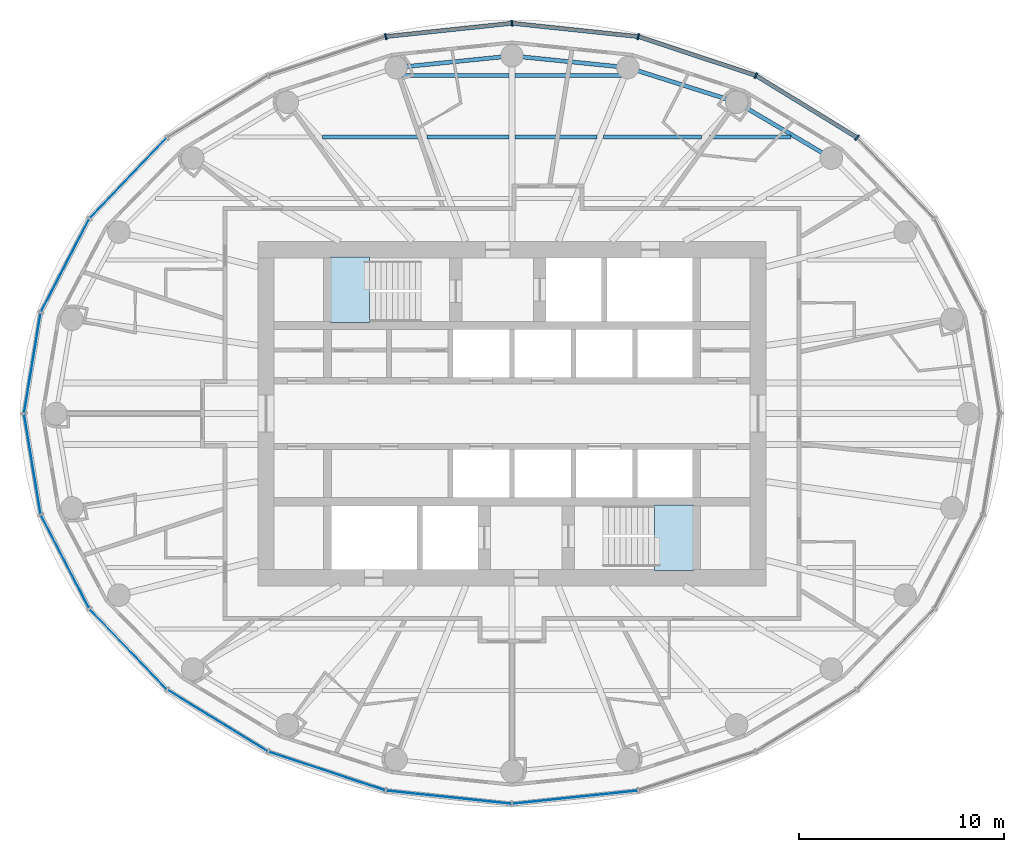
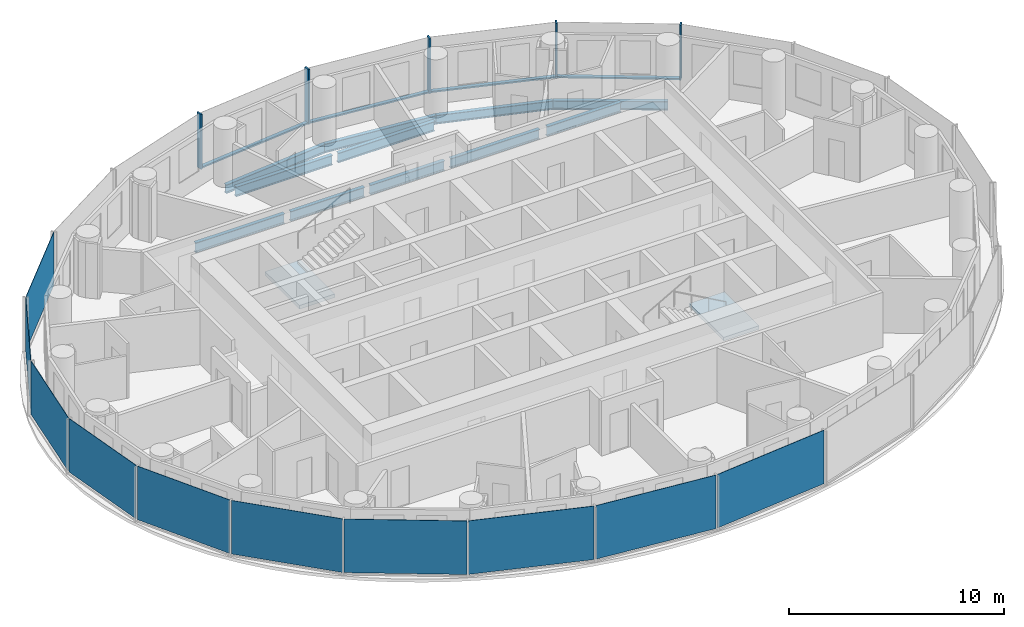
# One storey, part 4 of 13: 11 beams, 10 plates, 9 members, 2 slabs, 6 elements without a shape of their own.
"""IFC4 building model written with IfcOpenShell, lengths in metres."""

from ifc_helpers import new_model, si_unit, direction, frame, origin, origin_2d, place, context, subcontext, project, spatial, polyline, rectangle, i_section, outline, extrude, material, layer, layer_set, material_profile, profile_set, type_object, element, aggregate, save


model = new_model("IFC4")

# Units and contexts
model_context = context("Model", 3, precision=1e-05, world=origin(), true_north=direction((0.0, 1.0)))
body_context = subcontext(model_context, "Body", "Model", "MODEL_VIEW")
ifc_project = project(units=[si_unit("LENGTHUNIT", "METRE"), si_unit("AREAUNIT", "SQUARE_METRE"), si_unit("VOLUMEUNIT", "CUBIC_METRE"), si_unit("PLANEANGLEUNIT", "RADIAN"), si_unit("MASSUNIT", "GRAM", prefix="KILO")], contexts=[model_context])

# Site, building, storey
site_placement = place(None, origin())
site = spatial("IfcSite", under=ifc_project, at=site_placement, CompositionType="ELEMENT")
building_placement = place(site_placement, origin())
building = spatial("IfcBuilding", under=site, at=building_placement, Name="Hankou Lantern Tower", CompositionType="ELEMENT")
storey_placement = place(building_placement, frame((0.0, 0.0, 163.199951171875)))
storey = spatial("IfcBuildingStorey", under=building, at=storey_placement, Name="L43", CompositionType="ELEMENT", Elevation=163.199951171875)

# Beams
ifc_material_1 = material(Name="Steel Q355B", Category="steel")
ifc_material_profile_1 = material_profile(ifc_material_1, i_section(OverallWidth=0.199951171875, OverallDepth=0.5, WebThickness=0.010009765625, FlangeThickness=0.01611328125, FilletRadius=0.012939453125, at=origin_2d()), Name="HN500x200x10x16")
ifc_profile_set_1 = profile_set([ifc_material_profile_1], Name="Steel Q355B")
beam_type_1 = type_object("IfcBeamType", Name="EB5 RING BEAM HN500x200x10x16", PredefinedType="SPANDREL", material=ifc_profile_set_1)
beam_1_placement = place(storey_placement, frame((15.576171875, 12.4609375, -0.429931640625), z_axis=(-0.861135888339, 0.508374843806, 0.0), x_axis=(-0.508374843806, -0.861135888339, 0.0)))
element("IfcBeam", 1, at=beam_1_placement, inside=storey, type_object=beam_type_1, Name="Ring beam R04-R05 L43", PredefinedType="SPANDREL", context=body_context, shape_type="SweptSolid", body=[
    extrude(i_section(OverallWidth=0.199951171875, OverallDepth=0.5, WebThickness=0.010009765625, FlangeThickness=0.01611328125, FilletRadius=0.012939453125, at=origin_2d()), origin(), (0.0, 0.0, 1.0), 5.36083984375),
])
beam_2_placement = place(storey_placement, frame((10.959716796875, 15.186279296875, -0.429931640625), z_axis=(-0.952790404271, 0.30362879562, 0.0), x_axis=(-0.30362879562, -0.952790404271, 0.0)))
element("IfcBeam", 2, at=beam_2_placement, inside=storey, type_object=beam_type_1, Name="Ring beam R05-R06 L43", PredefinedType="SPANDREL", context=body_context, shape_type="SweptSolid", body=[
    extrude(i_section(OverallWidth=0.199951171875, OverallDepth=0.5, WebThickness=0.010009765625, FlangeThickness=0.01611328125, FilletRadius=0.012939453125, at=origin_2d()), origin(), (0.0, 0.0, 1.0), 5.56982421875),
])
for number, where, z_axis, x_axis, name in (
    (3, (5.65283203125, 16.87744140625, -0.429931640625), (-0.9949104636, 0.100762936734, 0.0), (-0.100762936734, -0.9949104636, 0.0), "Ring beam R06-R07 L43"),
    (4, (0.0, 17.449951171875, -0.429931640625), (-0.9949104636, -0.100762936734, 0.0), (0.100762936734, -0.9949104636, 0.0), "Ring beam R07-R08 L43"),
):
    element("IfcBeam", number, at=place(storey_placement, frame(where, z_axis=z_axis, x_axis=x_axis)), inside=storey, type_object=beam_type_1, Name=name, PredefinedType="SPANDREL", context=body_context, shape_type="SweptSolid", body=[
        extrude(i_section(OverallWidth=0.199951171875, OverallDepth=0.5, WebThickness=0.010009765625, FlangeThickness=0.01611328125, FilletRadius=0.012939453125, at=origin_2d()), origin(), (0.0, 0.0, 1.0), 5.681640625),
    ])

# Curtain wall, members
ifc_material_2 = material(Name="Glass, dark grey tinted laminated", Category="glass")
curtain_wall_type = type_object("IfcCurtainWallType", Name="CWC OUTER SKIN HIGH-RISE", PredefinedType="USERDEFINED", material=ifc_material_2)
curtain_wall_1_placement = place(storey_placement, origin())
curtain_wall_1 = element("IfcCurtainWall", 5, at=curtain_wall_1_placement, inside=storey, type_object=curtain_wall_type, Name="CWC L43 OS1", ObjectType="OUTER SKIN HIGH-RISE", PredefinedType="USERDEFINED")
ifc_material_3 = material(Name="Aluminium, black anodised", Category="aluminium")
ifc_material_profile_2 = material_profile(ifc_material_3, rectangle(XDim=0.080078125, YDim=0.300048828125, at=origin_2d()), Name="MU1 80X300")
ifc_profile_set_2 = profile_set([ifc_material_profile_2], Name="Aluminium, black anodised")
member_type_1 = type_object("IfcMemberType", Name="MU1 OUTER SKIN MULLION 80X300", PredefinedType="MULLION", material=ifc_profile_set_2)
member_1_placement = place(storey_placement, frame((16.8291015625, 13.46337890625, 0.0), z_axis=(0.0, 0.0, 1.0), x_axis=(-0.780868809444, 0.624695047553, 0.0)))
member_1 = element("IfcMember", 6, at=member_1_placement, type_object=member_type_1, Name="CWC mullion 4", PredefinedType="MULLION", context=body_context, shape_type="SweptSolid", body=[
    extrude(rectangle(XDim=0.080078125, YDim=0.300048828125, at=origin_2d()), origin(), (0.0, 0.0, 1.0), 3.1201171875),
])
member_2_placement = place(storey_placement, frame((11.89990234375, 16.489013671875, 0.0), z_axis=(0.0, 0.0, 1.0), x_axis=(-0.907841299004, 0.419313934686, 0.0)))
member_2 = element("IfcMember", 7, at=member_2_placement, type_object=member_type_1, Name="CWC mullion 5", PredefinedType="MULLION", context=body_context, shape_type="SweptSolid", body=[
    extrude(rectangle(XDim=0.080078125, YDim=0.300048828125, at=origin_2d()), origin(), (0.0, 0.0, 1.0), 3.1201171875),
])
member_3_placement = place(storey_placement, frame((6.159912109375, 18.39111328125, 0.0), z_axis=(0.0, 0.0, 1.0), x_axis=(-0.977787659625, 0.209597931016, 0.0)))
member_3 = element("IfcMember", 8, at=member_3_placement, type_object=member_type_1, Name="CWC mullion 6", PredefinedType="MULLION", context=body_context, shape_type="SweptSolid", body=[
    extrude(rectangle(XDim=0.080078125, YDim=0.300048828125, at=origin_2d()), origin(), (0.0, 0.0, 1.0), 3.1201171875),
])

curtain_wall_2_placement = place(storey_placement, origin())
curtain_wall_2 = element("IfcCurtainWall", 9, at=curtain_wall_2_placement, inside=storey, type_object=curtain_wall_type, Name="CWC L43 OS2", ObjectType="OUTER SKIN HIGH-RISE", PredefinedType="USERDEFINED")
member_4_placement = place(storey_placement, frame((0.0, 19.0400390625, 0.0), z_axis=(0.0, 0.0, 1.0), x_axis=(-0.994499359107, -0.104742659579, 0.0)))
member_4 = element("IfcMember", 10, at=member_4_placement, type_object=member_type_1, Name="CWC mullion 1", PredefinedType="MULLION", context=body_context, shape_type="SweptSolid", body=[
    extrude(rectangle(XDim=0.080078125, YDim=0.300048828125, at=origin_2d()), origin(), (0.0, 0.0, 1.0), 3.1201171875),
])
member_5_placement = place(storey_placement, frame((-6.159912109375, 18.39111328125, 0.0), z_axis=(0.0, 0.0, 1.0), x_axis=(-0.977787659625, -0.209597931016, 0.0)))
member_5 = element("IfcMember", 11, at=member_5_placement, type_object=member_type_1, Name="CWC mullion 2", PredefinedType="MULLION", context=body_context, shape_type="SweptSolid", body=[
    extrude(rectangle(XDim=0.080078125, YDim=0.300048828125, at=origin_2d()), origin(), (0.0, 0.0, 1.0), 3.1201171875),
])

# Beams
ifc_material_4 = material(Name="Steel Q355B", Category="steel")
ifc_material_profile_3 = material_profile(ifc_material_4, i_section(OverallWidth=0.199951171875, OverallDepth=0.550048828125, WebThickness=0.010009765625, FlangeThickness=0.01611328125, FilletRadius=0.012939453125, at=origin_2d()), Name="HN550x200x10x16")
ifc_profile_set_3 = profile_set([ifc_material_profile_3], Name="Steel Q355B")
beam_type_2 = type_object("IfcBeamType", Name="SB6 SECONDARY BEAM HN550x200x10x16", PredefinedType="JOIST", material=ifc_profile_set_3)
beam_3_placement = place(storey_placement, frame((-9.23974609375, 13.5, -0.454833984375), z_axis=(1.0, 0.0, 0.0), x_axis=(0.0, 1.0, 0.0)))
element("IfcBeam", 12, at=beam_3_placement, inside=storey, type_object=beam_type_2, Name="Floor joist J036 L43", PredefinedType="JOIST", context=body_context, shape_type="SweptSolid", body=[
    extrude(i_section(OverallWidth=0.199951171875, OverallDepth=0.550048828125, WebThickness=0.010009765625, FlangeThickness=0.01611328125, FilletRadius=0.012939453125, at=origin_2d()), origin(), (0.0, 0.0, 1.0), 4.780517578125),
])
for number, where, z_axis, x_axis, name in (
    (13, (-4.135986328125, 13.5, -0.454833984375), (1.0, 0.0, 0.0), (0.0, 1.0, 0.0), "Floor joist J037 L43"),
    (14, (0.14990234375, 13.5, -0.454833984375), (1.0, 0.0, 0.0), (0.0, 1.0, 0.0), "Floor joist J038 L43"),
):
    element("IfcBeam", number, at=place(storey_placement, frame(where, z_axis=z_axis, x_axis=x_axis)), inside=storey, type_object=beam_type_2, Name=name, PredefinedType="JOIST", context=body_context, shape_type="SweptSolid", body=[
        extrude(i_section(OverallWidth=0.199951171875, OverallDepth=0.550048828125, WebThickness=0.010009765625, FlangeThickness=0.01611328125, FilletRadius=0.012939453125, at=origin_2d()), origin(), (0.0, 0.0, 1.0), 3.986083984375),
    ])
beam_4_placement = place(storey_placement, frame((4.459228515625, 13.5, -0.454833984375), z_axis=(1.0, 0.0, 0.0), x_axis=(0.0, 1.0, 0.0)))
element("IfcBeam", 15, at=beam_4_placement, inside=storey, type_object=beam_type_2, Name="Floor joist J039 L43", PredefinedType="JOIST", context=body_context, shape_type="SweptSolid", body=[
    extrude(i_section(OverallWidth=0.199951171875, OverallDepth=0.550048828125, WebThickness=0.010009765625, FlangeThickness=0.01611328125, FilletRadius=0.012939453125, at=origin_2d()), origin(), (0.0, 0.0, 1.0), 4.780517578125),
])
beam_5_placement = place(storey_placement, frame((9.643310546875, 13.5, -0.454833984375), z_axis=(1.0, 0.0, 0.0), x_axis=(0.0, 1.0, 0.0)))
element("IfcBeam", 16, at=beam_5_placement, inside=storey, type_object=beam_type_2, Name="Floor joist J040 L43", PredefinedType="JOIST", context=body_context, shape_type="SweptSolid", body=[
    extrude(i_section(OverallWidth=0.199951171875, OverallDepth=0.550048828125, WebThickness=0.010009765625, FlangeThickness=0.01611328125, FilletRadius=0.012939453125, at=origin_2d()), origin(), (0.0, 0.0, 1.0), 3.97607421875),
])
for number, where, z_axis, x_axis, name in (
    (17, (-5.33984375, 16.5, -0.454833984375), (1.0, 0.0, 0.0), (0.0, 1.0, 0.0), "Floor joist J041 L43"),
    (18, (0.14990234375, 16.5, -0.454833984375), (1.0, 0.0, 0.0), (0.0, 1.0, 0.0), "Floor joist J042 L43"),
):
    element("IfcBeam", number, at=place(storey_placement, frame(where, z_axis=z_axis, x_axis=x_axis)), inside=storey, type_object=beam_type_2, Name=name, PredefinedType="JOIST", context=body_context, shape_type="SweptSolid", body=[
        extrude(i_section(OverallWidth=0.199951171875, OverallDepth=0.550048828125, WebThickness=0.010009765625, FlangeThickness=0.01611328125, FilletRadius=0.012939453125, at=origin_2d()), origin(), (0.0, 0.0, 1.0), 5.18994140625),
    ])

# Member
ifc_material_5 = material(Name="Aluminium, black anodised", Category="aluminium")
ifc_material_profile_4 = material_profile(ifc_material_5, rectangle(XDim=0.199951171875, YDim=0.080078125, at=origin_2d()), Name="TR1 200X80")
ifc_profile_set_4 = profile_set([ifc_material_profile_4], Name="Aluminium, black anodised")
member_type_2 = type_object("IfcMemberType", Name="TR1 OUTER SKIN TRANSOM 200X80", PredefinedType="USERDEFINED", material=ifc_profile_set_4)
member_6_placement = place(storey_placement, frame((16.795166015625, 13.484130859375, 0.0400390625), z_axis=(-0.852229482357, 0.523168146394, 0.0), x_axis=(-0.523168146394, -0.852229482357, 0.0)))
member_6 = element("IfcMember", 19, at=member_6_placement, type_object=member_type_2, Name="CWC transom 4", ObjectType="TRANSOM", PredefinedType="USERDEFINED", context=body_context, shape_type="SweptSolid", body=[
    extrude(rectangle(XDim=0.199951171875, YDim=0.080078125, at=origin_2d()), origin(), (0.0, 0.0, 1.0), 5.703857421875),
])

member_7_placement = place(storey_placement, frame((11.862060546875, 16.501708984375, 0.0400390625), z_axis=(-0.949242327551, 0.314545709849, 0.0), x_axis=(-0.314545709849, -0.949242327551, 0.0)))
member_7 = element("IfcMember", 20, at=member_7_placement, type_object=member_type_2, Name="CWC transom 5", ObjectType="TRANSOM", PredefinedType="USERDEFINED", context=body_context, shape_type="SweptSolid", body=[
    extrude(rectangle(XDim=0.199951171875, YDim=0.080078125, at=origin_2d()), origin(), (0.0, 0.0, 1.0), 5.96728515625),
])

member_8_placement = place(storey_placement, frame((6.1201171875, 18.3955078125, 0.0400390625), z_axis=(-0.994499543631, 0.104740907567, 0.0), x_axis=(-0.104740907567, -0.994499543631, 0.0)))
member_8 = element("IfcMember", 21, at=member_8_placement, type_object=member_type_2, Name="CWC transom 6", ObjectType="TRANSOM", PredefinedType="USERDEFINED", context=body_context, shape_type="SweptSolid", body=[
    extrude(rectangle(XDim=0.199951171875, YDim=0.080078125, at=origin_2d()), origin(), (0.0, 0.0, 1.0), 6.114013671875),
])

aggregate(curtain_wall_1, [member_1, member_2, member_3, member_6, member_7, member_8])

member_9_placement = place(storey_placement, frame((-0.039794921875, 19.035888671875, 0.0400390625), z_axis=(-0.994499543631, -0.104740907567, 0.0), x_axis=(0.104740907567, -0.994499543631, 0.0)))
member_9 = element("IfcMember", 22, at=member_9_placement, type_object=member_type_2, Name="CWC transom 1", ObjectType="TRANSOM", PredefinedType="USERDEFINED", context=body_context, shape_type="SweptSolid", body=[
    extrude(rectangle(XDim=0.199951171875, YDim=0.080078125, at=origin_2d()), origin(), (0.0, 0.0, 1.0), 6.114013671875),
])

# Plate
ifc_material_6 = material(Name="Glass, dark grey tinted laminated", Category="glass")
ifc_layer_1 = layer(ifc_material_6, 0.02392578125)
ifc_layer_set_1 = layer_set([ifc_layer_1], Name="Glass, dark grey tinted laminated")
plate_type = type_object("IfcPlateType", Name="PN1 OUTER SKIN GLASS PANEL", PredefinedType="CURTAIN_PANEL", material=ifc_layer_set_1)
plate_1_placement = place(storey_placement, frame((-18.72021484375, 11.49169921875, 0.080078125), z_axis=(0.0, 0.0, 1.0), x_axis=(-0.692215809936, -0.721690565599, 0.0)))
plate_1 = element("IfcPlate", 23, at=plate_1_placement, type_object=plate_type, Name="CWC glass panel 4", PredefinedType="CURTAIN_PANEL", context=body_context, shape_type="SweptSolid", body=[
    extrude(rectangle(XDim=5.384033203125, YDim=0.02392578125, at=origin_2d()), origin(), (0.0, 0.0, 1.0), 3.0400390625),
])

plate_2_placement = place(storey_placement, frame((-21.80029296875, 7.223876953125, 0.080078125), z_axis=(0.0, 0.0, 1.0), x_axis=(-0.459791091957, -0.888027112062, 0.0)))
plate_2 = element("IfcPlate", 24, at=plate_2_placement, type_object=plate_type, Name="CWC glass panel 5", PredefinedType="CURTAIN_PANEL", context=body_context, shape_type="SweptSolid", body=[
    extrude(rectangle(XDim=5.091064453125, YDim=0.02392578125, at=origin_2d()), origin(), (0.0, 0.0, 1.0), 3.0400390625),
])

plate_3_placement = place(storey_placement, frame((-23.39453125, 2.4638671875, 0.080078125), z_axis=(0.0, 0.0, 1.0), x_axis=(-0.162381515188, -0.986728049427, 0.0)))
plate_3 = element("IfcPlate", 25, at=plate_3_placement, type_object=plate_type, Name="CWC glass panel 6", PredefinedType="CURTAIN_PANEL", context=body_context, shape_type="SweptSolid", body=[
    extrude(rectangle(XDim=4.914306640625, YDim=0.02392578125, at=origin_2d()), origin(), (0.0, 0.0, 1.0), 3.0400390625),
])

aggregate(curtain_wall_2, [member_4, member_5, member_9, plate_1, plate_2, plate_3])

# Curtain wall, plates
curtain_wall_3_placement = place(storey_placement, origin())
curtain_wall_3 = element("IfcCurtainWall", 26, at=curtain_wall_3_placement, inside=storey, type_object=curtain_wall_type, Name="CWC L43 OS3", ObjectType="OUTER SKIN HIGH-RISE", PredefinedType="USERDEFINED")
plate_4_placement = place(storey_placement, frame((-23.39453125, -2.4638671875, 0.080078125), z_axis=(0.0, 0.0, 1.0), x_axis=(0.162381515188, -0.986728049427, 0.0)))
plate_4 = element("IfcPlate", 27, at=plate_4_placement, type_object=plate_type, Name="CWC glass panel 1", PredefinedType="CURTAIN_PANEL", context=body_context, shape_type="SweptSolid", body=[
    extrude(rectangle(XDim=4.914306640625, YDim=0.02392578125, at=origin_2d()), origin(), (0.0, 0.0, 1.0), 3.0400390625),
])
plate_5_placement = place(storey_placement, frame((-21.80029296875, -7.223876953125, 0.080078125), z_axis=(0.0, 0.0, 1.0), x_axis=(0.459791091957, -0.888027112062, 0.0)))
plate_5 = element("IfcPlate", 28, at=plate_5_placement, type_object=plate_type, Name="CWC glass panel 2", PredefinedType="CURTAIN_PANEL", context=body_context, shape_type="SweptSolid", body=[
    extrude(rectangle(XDim=5.091064453125, YDim=0.02392578125, at=origin_2d()), origin(), (0.0, 0.0, 1.0), 3.0400390625),
])
plate_6_placement = place(storey_placement, frame((-18.72021484375, -11.49169921875, 0.080078125), z_axis=(0.0, 0.0, 1.0), x_axis=(0.692215809936, -0.721690565599, 0.0)))
plate_6 = element("IfcPlate", 29, at=plate_6_placement, type_object=plate_type, Name="CWC glass panel 3", PredefinedType="CURTAIN_PANEL", context=body_context, shape_type="SweptSolid", body=[
    extrude(rectangle(XDim=5.384033203125, YDim=0.02392578125, at=origin_2d()), origin(), (0.0, 0.0, 1.0), 3.0400390625),
])
plate_7_placement = place(storey_placement, frame((-14.364501953125, -14.976318359375, 0.080078125), z_axis=(0.0, 0.0, 1.0), x_axis=(0.852237151549, -0.523155653242, 0.0)))
plate_7 = element("IfcPlate", 30, at=plate_7_placement, type_object=plate_type, Name="CWC glass panel 4", PredefinedType="CURTAIN_PANEL", context=body_context, shape_type="SweptSolid", body=[
    extrude(rectangle(XDim=5.703857421875, YDim=0.02392578125, at=origin_2d()), origin(), (0.0, 0.0, 1.0), 3.0400390625),
])
plate_8_placement = place(storey_placement, frame((-9.030029296875, -17.440185546875, 0.080078125), z_axis=(0.0, 0.0, 1.0), x_axis=(0.949240677293, -0.31455068999, 0.0)))
plate_8 = element("IfcPlate", 31, at=plate_8_placement, type_object=plate_type, Name="CWC glass panel 5", PredefinedType="CURTAIN_PANEL", context=body_context, shape_type="SweptSolid", body=[
    extrude(rectangle(XDim=5.967041015625, YDim=0.02392578125, at=origin_2d()), origin(), (0.0, 0.0, 1.0), 3.0400390625),
])
plate_9_placement = place(storey_placement, frame((-3.079833984375, -18.715576171875, 0.080078125), z_axis=(0.0, 0.0, 1.0), x_axis=(0.994499359107, -0.104742659579, 0.0)))
plate_9 = element("IfcPlate", 32, at=plate_9_placement, type_object=plate_type, Name="CWC glass panel 6", PredefinedType="CURTAIN_PANEL", context=body_context, shape_type="SweptSolid", body=[
    extrude(rectangle(XDim=6.114013671875, YDim=0.02392578125, at=origin_2d()), origin(), (0.0, 0.0, 1.0), 3.0400390625),
])
aggregate(curtain_wall_3, [plate_4, plate_5, plate_6, plate_7, plate_8, plate_9])

# Curtain wall, plate
curtain_wall_4_placement = place(storey_placement, origin())
curtain_wall_4 = element("IfcCurtainWall", 33, at=curtain_wall_4_placement, inside=storey, type_object=curtain_wall_type, Name="CWC L43 OS4", ObjectType="OUTER SKIN HIGH-RISE", PredefinedType="USERDEFINED")
plate_10_placement = place(storey_placement, frame((3.079833984375, -18.715576171875, 0.080078125), z_axis=(0.0, 0.0, 1.0), x_axis=(0.994499359107, 0.104742659579, 0.0)))
plate_10 = element("IfcPlate", 34, at=plate_10_placement, type_object=plate_type, Name="CWC glass panel 1", PredefinedType="CURTAIN_PANEL", context=body_context, shape_type="SweptSolid", body=[
    extrude(rectangle(XDim=6.114013671875, YDim=0.02392578125, at=origin_2d()), origin(), (0.0, 0.0, 1.0), 3.0400390625),
])
aggregate(curtain_wall_4, [plate_10])

# Stair, slab
ifc_material_7 = material(Name="Concrete C40", Category="concrete")
stair_type = type_object("IfcStairType", Name="ST33 CORE STAIR 3300 RISE", PredefinedType="HALF_TURN_STAIR", material=ifc_material_7)
stair_1_placement = place(storey_placement, origin())
stair_1 = element("IfcStair", 35, at=stair_1_placement, inside=storey, type_object=stair_type, Name="Stair STA L43", PredefinedType="HALF_TURN_STAIR")
ifc_material_8 = material(Name="Concrete C40", Category="concrete")
ifc_layer_2 = layer(ifc_material_8, 0.199951171875)
ifc_layer_set_2 = layer_set([ifc_layer_2], Name="Concrete C40")
slab_type = type_object("IfcSlabType", Name="SL1 STAIR LANDING 200", PredefinedType="LANDING", material=ifc_layer_set_2)
slab_1_placement = place(storey_placement, frame((0.0, 0.0, 1.37158203125)))
slab_1 = element("IfcSlab", 36, at=slab_1_placement, type_object=slab_type, Name="STA landing 1", PredefinedType="LANDING", context=body_context, shape_type="SweptSolid", body=[
    extrude(outline(polyline([(-8.85009765625, 4.449951171875), (-6.949951171875, 4.449951171875), (-6.949951171875, 7.64990234375), (-8.85009765625, 7.64990234375), (-8.85009765625, 4.449951171875)])), origin(), (0.0, 0.0, 1.0), 0.199951171875),
])
aggregate(stair_1, [slab_1])

stair_2_placement = place(storey_placement, origin())
stair_2 = element("IfcStair", 37, at=stair_2_placement, inside=storey, type_object=stair_type, Name="Stair STB L43", PredefinedType="HALF_TURN_STAIR")
slab_2_placement = place(storey_placement, frame((0.0, 0.0, 1.37158203125)))
slab_2 = element("IfcSlab", 38, at=slab_2_placement, type_object=slab_type, Name="STB landing 1", PredefinedType="LANDING", context=body_context, shape_type="SweptSolid", body=[
    extrude(outline(polyline([(8.85009765625, -4.449951171875), (6.949951171875, -4.449951171875), (6.949951171875, -7.64990234375), (8.85009765625, -7.64990234375), (8.85009765625, -4.449951171875)])), origin(), (0.0, 0.0, 1.0), 0.199951171875),
])
aggregate(stair_2, [slab_2])

save(model, "model.ifc")
